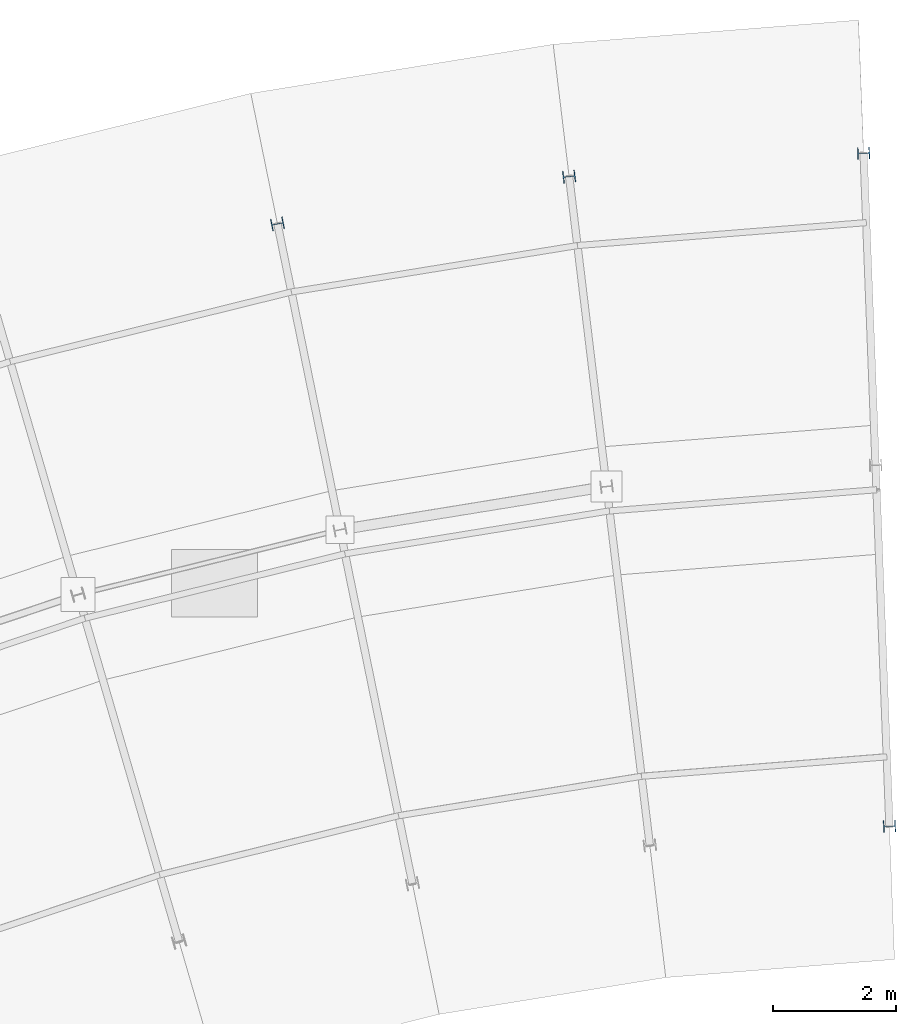
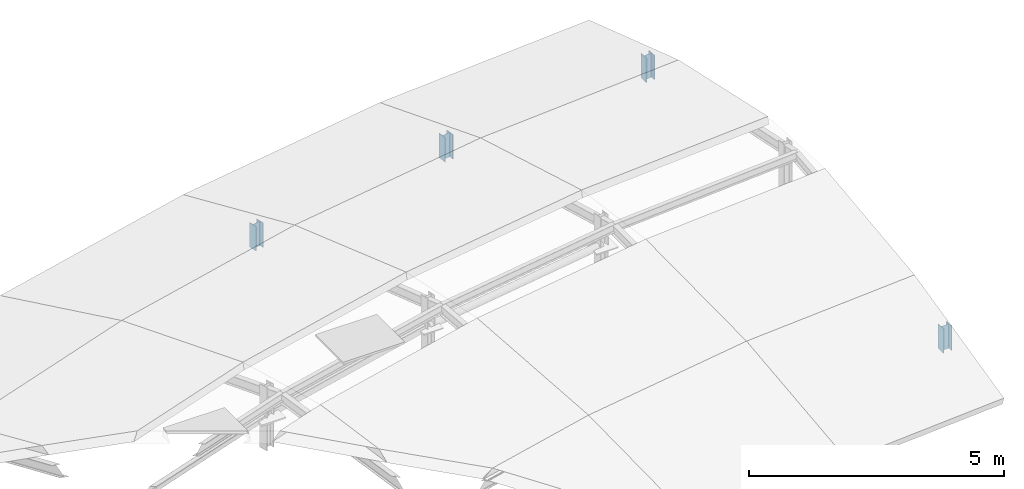
# One storey, part 5 of 8: 4 columns.
"""IFC4 building model written with IfcOpenShell, lengths in metres."""

from ifc_helpers import new_model, si_unit, direction, frame, origin, origin_2d, place, context, subcontext, project, spatial, i_section, extrude, material, material_profile, profile_set, type_object, element, save


model = new_model("IFC4")

# Units and contexts
model_context = context("Model", 3, precision=1e-05, world=origin(), true_north=direction((0.0, 1.0)))
body_context = subcontext(model_context, "Body", "Model", "MODEL_VIEW")
ifc_project = project(units=[si_unit("LENGTHUNIT", "METRE"), si_unit("AREAUNIT", "SQUARE_METRE"), si_unit("VOLUMEUNIT", "CUBIC_METRE"), si_unit("PLANEANGLEUNIT", "RADIAN"), si_unit("MASSUNIT", "GRAM", prefix="KILO")], contexts=[model_context])

# Site, building, storey
site_placement = place(None, origin())
site = spatial("IfcSite", under=ifc_project, at=site_placement, CompositionType="ELEMENT")
building_placement = place(site_placement, origin())
building = spatial("IfcBuilding", under=site, at=building_placement, Name="Zimvara Arc Housing Community", CompositionType="ELEMENT")
storey_placement = place(building_placement, frame((0.0, 0.0, 45.300048828125)))
storey = spatial("IfcBuildingStorey", under=building, at=storey_placement, Name="RF", CompositionType="ELEMENT", Elevation=45.300048828125)

# Columns
ifc_material = material(Name="Steel S355", Category="steel")
ifc_material_profile = material_profile(ifc_material, i_section(OverallWidth=0.199951171875, OverallDepth=0.199951171875, WebThickness=0.009033203125, FlangeThickness=0.014892578125, FilletRadius=0.01806640625, at=origin_2d()), Name="HEB 200")
ifc_profile_set = profile_set([ifc_material_profile], Name="Steel S355")
column_type = type_object("IfcColumnType", Name="COL-ST-HEB200", PredefinedType="COLUMN", material=ifc_profile_set)
for number, where, z_axis, x_axis, name in (
    (1, (33.20068359375, 102.185546875, 0.0), (0.0, 0.0, 1.0), (-0.200393999665, 0.979715389742, 0.0), "col:blkA:RF:ribpost3:g8"),
    (2, (37.94677734375, 102.9560546875, 0.0), (0.0, 0.0, 1.0), (-0.119790293837, 0.992799217114, 0.0), "col:blkA:RF:ribpost3:g9"),
    (3, (43.160400390625, 92.384765625, 0.0), (0.0, 0.0, 1.0), (-0.038387809088, 0.999262916411, 0.0), "col:blkA:RF:ribpost1:g10"),
    (4, (42.73974609375, 103.336669921875, 0.0), (0.0, 0.0, 1.0), (-0.038387809088, 0.999262916411, 0.0), "col:blkA:RF:ribpost3:g10"),
):
    element("IfcColumn", number, at=place(storey_placement, frame(where, z_axis=z_axis, x_axis=x_axis)), inside=storey, type_object=column_type, Name=name, PredefinedType="COLUMN", context=body_context, shape_type="SweptSolid", body=[
        extrude(i_section(OverallWidth=0.199951171875, OverallDepth=0.199951171875, WebThickness=0.009033203125, FlangeThickness=0.014892578125, FilletRadius=0.01806640625, at=origin_2d()), origin(), (0.0, 0.0, 1.0), 0.58251953125),
    ])

save(model, "model.ifc")
